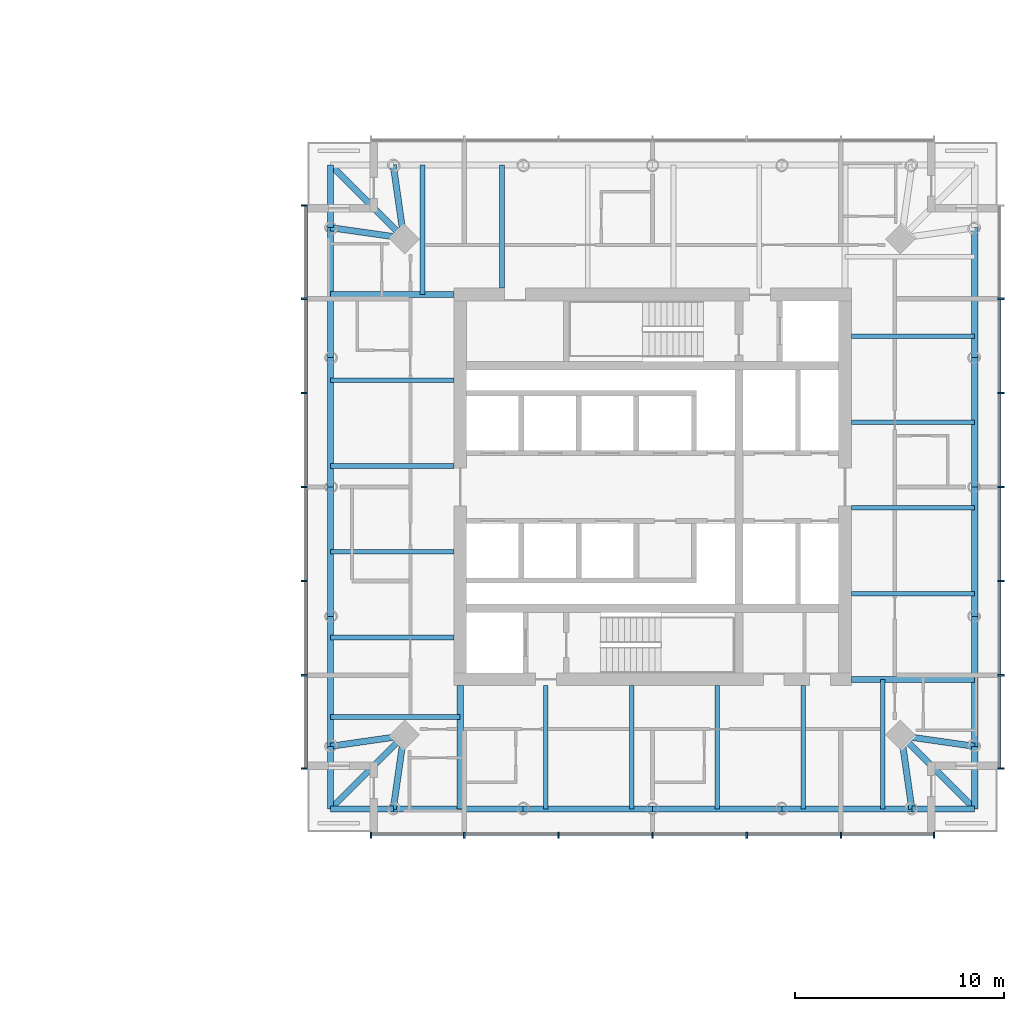
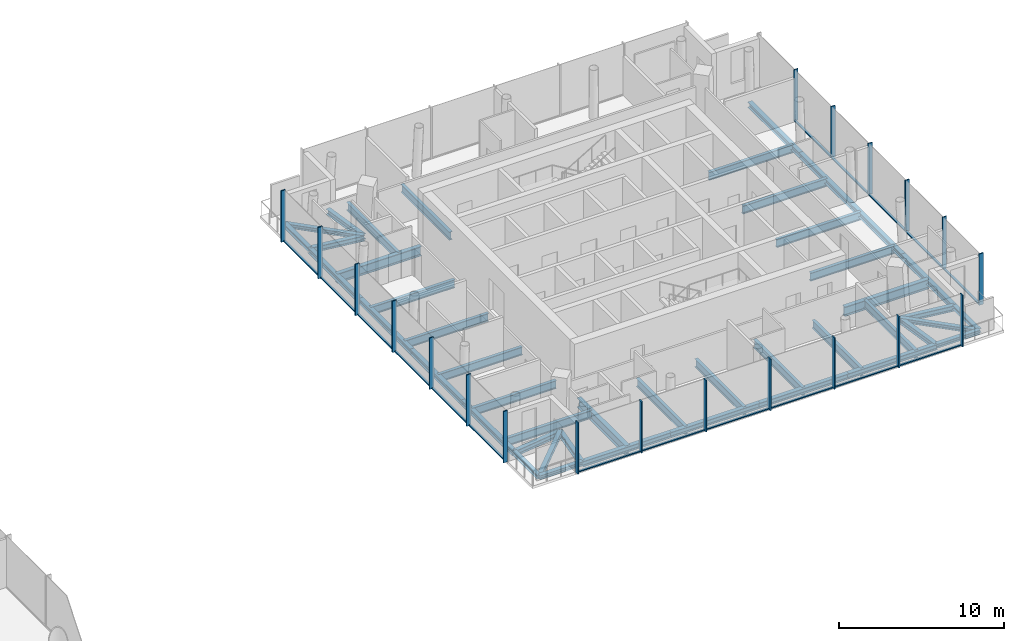
# One storey, part 4 of 18: 45 beams, 37 members, 3 elements without a shape of their own.
"""IFC4 building model written with IfcOpenShell, lengths in metres."""

from ifc_helpers import new_model, si_unit, direction, frame, origin, origin_2d, place, context, subcontext, project, spatial, rectangle, i_section, extrude, material, material_profile, profile_set, type_object, element, aggregate, save


model = new_model("IFC4")

# Units and contexts
model_context = context("Model", 3, precision=1e-05, world=origin(), true_north=direction((0.0, 1.0)))
body_context = subcontext(model_context, "Body", "Model", "MODEL_VIEW")
ifc_project = project(units=[si_unit("LENGTHUNIT", "METRE"), si_unit("AREAUNIT", "SQUARE_METRE"), si_unit("VOLUMEUNIT", "CUBIC_METRE"), si_unit("PLANEANGLEUNIT", "RADIAN"), si_unit("MASSUNIT", "GRAM", prefix="KILO")], contexts=[model_context])

# Site, building, storey
site_placement = place(None, origin())
site = spatial("IfcSite", under=ifc_project, at=site_placement, CompositionType="ELEMENT")
building_placement = place(site_placement, origin())
building = spatial("IfcBuilding", under=site, at=building_placement, Name="Ostroluk Exchange", CompositionType="ELEMENT")
storey_placement = place(building_placement, frame((0.0, 0.0, 104.60009765625)))
storey = spatial("IfcBuildingStorey", under=building, at=storey_placement, Name="L26", CompositionType="ELEMENT", Elevation=104.60009765625)

# Beams
ifc_material_1 = material(Name="Steel S355", Category="steel")
ifc_material_profile_1 = material_profile(ifc_material_1, i_section(OverallWidth=0.300048828125, OverallDepth=0.300048828125, WebThickness=0.010986328125, FlangeThickness=0.01904296875, FilletRadius=0.027099609375, at=origin_2d()), Name="HEB 300")
ifc_profile_set_1 = profile_set([ifc_material_profile_1], Name="Steel S355")
beam_type_1 = type_object("IfcBeamType", Name="Balcony beam HEB 300", PredefinedType="BEAM", material=ifc_profile_set_1)
beam_1_placement = place(storey_placement, frame((101.603515625, 58.396484375, -0.35009765625), z_axis=(0.0, 1.0, 0.0), x_axis=(-1.0, 0.0, 0.0)))
element("IfcBeam", 1, at=beam_1_placement, inside=storey, type_object=beam_type_1, Name="T2 north balcony beam b", PredefinedType="BEAM", context=body_context, shape_type="SweptSolid", body=[
    extrude(i_section(OverallWidth=0.300048828125, OverallDepth=0.300048828125, WebThickness=0.010986328125, FlangeThickness=0.01904296875, FilletRadius=0.027099609375, at=origin_2d()), origin(), (0.0, 0.0, 1.0), 3.0),
])
beam_2_placement = place(storey_placement, frame((105.103515625, 57.896484375, -0.35009765625), z_axis=(-0.707106781187, 0.707106781187, 0.0), x_axis=(-0.707106781187, -0.707106781187, 0.0)))
element("IfcBeam", 2, at=beam_2_placement, inside=storey, type_object=beam_type_1, Name="T2 north balcony beam c", PredefinedType="BEAM", context=body_context, shape_type="SweptSolid", body=[
    extrude(i_section(OverallWidth=0.300048828125, OverallDepth=0.300048828125, WebThickness=0.010986328125, FlangeThickness=0.01904296875, FilletRadius=0.027099609375, at=origin_2d()), origin(), (0.0, 0.0, 1.0), 4.94970703125),
])
for number, where, z_axis, x_axis, name in (
    (3, (101.603515625, 33.603515625, -0.35009765625), (0.0, -1.0, 0.0), (1.0, 0.0, 0.0), "T2 west balcony beam a"),
    (4, (104.603515625, 30.603515625, -0.35009765625), (-1.0, 0.0, 0.0), (0.0, -1.0, 0.0), "T2 west balcony beam b"),
):
    element("IfcBeam", number, at=place(storey_placement, frame(where, z_axis=z_axis, x_axis=x_axis)), inside=storey, type_object=beam_type_1, Name=name, PredefinedType="BEAM", context=body_context, shape_type="SweptSolid", body=[
        extrude(i_section(OverallWidth=0.300048828125, OverallDepth=0.300048828125, WebThickness=0.010986328125, FlangeThickness=0.01904296875, FilletRadius=0.027099609375, at=origin_2d()), origin(), (0.0, 0.0, 1.0), 3.0),
    ])
beam_3_placement = place(storey_placement, frame((105.103515625, 34.103515625, -0.35009765625), z_axis=(-0.707106781187, -0.707106781187, 0.0), x_axis=(0.707106781187, -0.707106781187, 0.0)))
element("IfcBeam", 5, at=beam_3_placement, inside=storey, type_object=beam_type_1, Name="T2 west balcony beam c", PredefinedType="BEAM", context=body_context, shape_type="SweptSolid", body=[
    extrude(i_section(OverallWidth=0.300048828125, OverallDepth=0.300048828125, WebThickness=0.010986328125, FlangeThickness=0.01904296875, FilletRadius=0.027099609375, at=origin_2d()), origin(), (0.0, 0.0, 1.0), 4.94970703125),
])
for number, where, z_axis, x_axis, name in (
    (6, (129.396484375, 30.603515625, -0.35009765625), (1.0, 0.0, 0.0), (0.0, 1.0, 0.0), "T2 south balcony beam a"),
    (7, (132.396484375, 33.603515625, -0.35009765625), (0.0, -1.0, 0.0), (1.0, 0.0, 0.0), "T2 south balcony beam b"),
):
    element("IfcBeam", number, at=place(storey_placement, frame(where, z_axis=z_axis, x_axis=x_axis)), inside=storey, type_object=beam_type_1, Name=name, PredefinedType="BEAM", context=body_context, shape_type="SweptSolid", body=[
        extrude(i_section(OverallWidth=0.300048828125, OverallDepth=0.300048828125, WebThickness=0.010986328125, FlangeThickness=0.01904296875, FilletRadius=0.027099609375, at=origin_2d()), origin(), (0.0, 0.0, 1.0), 3.0),
    ])
beam_4_placement = place(storey_placement, frame((128.896484375, 34.103515625, -0.35009765625), z_axis=(0.707106781187, -0.707106781187, 0.0), x_axis=(0.707106781187, 0.707106781187, 0.0)))
element("IfcBeam", 8, at=beam_4_placement, inside=storey, type_object=beam_type_1, Name="T2 south balcony beam c", PredefinedType="BEAM", context=body_context, shape_type="SweptSolid", body=[
    extrude(i_section(OverallWidth=0.300048828125, OverallDepth=0.300048828125, WebThickness=0.010986328125, FlangeThickness=0.01904296875, FilletRadius=0.027099609375, at=origin_2d()), origin(), (0.0, 0.0, 1.0), 4.94970703125),
])
ifc_material_2 = material(Name="Steel S355", Category="steel")
ifc_material_profile_2 = material_profile(ifc_material_2, i_section(OverallWidth=0.300048828125, OverallDepth=0.39990234375, WebThickness=0.013427734375, FlangeThickness=0.02392578125, FilletRadius=0.027099609375, at=origin_2d()), Name="HEB 400")
ifc_profile_set_2 = profile_set([ifc_material_profile_2], Name="Steel S355")
beam_type_2 = type_object("IfcBeamType", Name="Corner edge beam HEB 400", PredefinedType="SPANDREL", material=ifc_profile_set_2)
for number, where, z_axis, x_axis, name in (
    (9, (105.103515625, 57.896484375, -0.400146484375), (-0.141421356237, 0.989949493661, 0.0), (-0.989949493661, -0.141421356237, 0.0), "T2 north corner edge beam a"),
    (10, (105.103515625, 57.896484375, -0.400146484375), (-0.989949493661, 0.141421356237, 0.0), (-0.141421356237, -0.989949493661, 0.0), "T2 north corner edge beam b"),
    (11, (105.103515625, 34.103515625, -0.400146484375), (-0.989949493661, -0.141421356237, 0.0), (0.141421356237, -0.989949493661, 0.0), "T2 west corner edge beam a"),
    (12, (105.103515625, 34.103515625, -0.400146484375), (-0.141421356237, -0.989949493661, 0.0), (0.989949493661, -0.141421356237, 0.0), "T2 west corner edge beam b"),
    (13, (128.896484375, 34.103515625, -0.400146484375), (0.141421356237, -0.989949493661, 0.0), (0.989949493661, 0.141421356237, 0.0), "T2 south corner edge beam a"),
    (14, (128.896484375, 34.103515625, -0.400146484375), (0.989949493661, -0.141421356237, 0.0), (0.141421356237, 0.989949493661, 0.0), "T2 south corner edge beam b"),
):
    element("IfcBeam", number, at=place(storey_placement, frame(where, z_axis=z_axis, x_axis=x_axis)), inside=storey, type_object=beam_type_2, Name=name, PredefinedType="SPANDREL", context=body_context, shape_type="SweptSolid", body=[
        extrude(i_section(OverallWidth=0.300048828125, OverallDepth=0.39990234375, WebThickness=0.013427734375, FlangeThickness=0.02392578125, FilletRadius=0.027099609375, at=origin_2d()), origin(), (0.0, 0.0, 1.0), 3.53564453125),
    ])
ifc_material_3 = material(Name="Steel S355", Category="steel")
ifc_material_profile_3 = material_profile(ifc_material_3, i_section(OverallWidth=0.219970703125, OverallDepth=0.60009765625, WebThickness=0.011962890625, FlangeThickness=0.01904296875, FilletRadius=0.02392578125, at=origin_2d()), Name="IPE 600")
ifc_profile_set_3 = profile_set([ifc_material_profile_3], Name="Steel S355")
beam_type_3 = type_object("IfcBeamType", Name="Floor beam IPE 600", PredefinedType="BEAM", material=ifc_profile_set_3)
for number, where, z_axis, x_axis, name in (
    (15, (126.5, 40.8994140625, -0.5), (1.0, 0.0, 0.0), (0.0, 1.0, 0.0), "T2 east floor beam 1"),
    (16, (126.5, 44.998779296875, -0.5), (1.0, 0.0, 0.0), (0.0, 1.0, 0.0), "T2 east floor beam 2"),
    (17, (126.5, 49.098388671875, -0.5), (1.0, 0.0, 0.0), (0.0, 1.0, 0.0), "T2 east floor beam 3"),
    (18, (126.5, 53.19775390625, -0.5), (1.0, 0.0, 0.0), (0.0, 1.0, 0.0), "T2 east floor beam 4"),
    (19, (109.80224609375, 55.5, -0.5), (0.0, 1.0, 0.0), (-1.0, 0.0, 0.0), "T2 north floor beam 4"),
):
    element("IfcBeam", number, at=place(storey_placement, frame(where, z_axis=z_axis, x_axis=x_axis)), inside=storey, type_object=beam_type_3, Name=name, PredefinedType="BEAM", context=body_context, shape_type="SweptSolid", body=[
        extrude(i_section(OverallWidth=0.219970703125, OverallDepth=0.60009765625, WebThickness=0.011962890625, FlangeThickness=0.01904296875, FilletRadius=0.02392578125, at=origin_2d()), origin(), (0.0, 0.0, 1.0), 5.896484375),
    ])
beam_5_placement = place(storey_placement, frame((106.00341796875, 55.199951171875, -0.5), z_axis=(0.0, 1.0, 0.0), x_axis=(-1.0, 0.0, 0.0)))
element("IfcBeam", 20, at=beam_5_placement, inside=storey, type_object=beam_type_3, Name="T2 north floor beam 5", PredefinedType="BEAM", context=body_context, shape_type="SweptSolid", body=[
    extrude(i_section(OverallWidth=0.219970703125, OverallDepth=0.60009765625, WebThickness=0.011962890625, FlangeThickness=0.01904296875, FilletRadius=0.02392578125, at=origin_2d()), origin(), (0.0, 0.0, 1.0), 6.196533203125),
])
for number, where, z_axis, x_axis, name in (
    (21, (107.5, 51.1005859375, -0.5), (-1.0, 0.0, 0.0), (0.0, -1.0, 0.0), "T2 west floor beam 1"),
    (22, (107.5, 47.001220703125, -0.5), (-1.0, 0.0, 0.0), (0.0, -1.0, 0.0), "T2 west floor beam 2"),
    (23, (107.5, 42.901611328125, -0.5), (-1.0, 0.0, 0.0), (0.0, -1.0, 0.0), "T2 west floor beam 3"),
    (24, (107.5, 38.80224609375, -0.5), (-1.0, 0.0, 0.0), (0.0, -1.0, 0.0), "T2 west floor beam 4"),
):
    element("IfcBeam", number, at=place(storey_placement, frame(where, z_axis=z_axis, x_axis=x_axis)), inside=storey, type_object=beam_type_3, Name=name, PredefinedType="BEAM", context=body_context, shape_type="SweptSolid", body=[
        extrude(i_section(OverallWidth=0.219970703125, OverallDepth=0.60009765625, WebThickness=0.011962890625, FlangeThickness=0.01904296875, FilletRadius=0.02392578125, at=origin_2d()), origin(), (0.0, 0.0, 1.0), 5.896484375),
    ])
beam_6_placement = place(storey_placement, frame((107.800048828125, 35.00341796875, -0.5), z_axis=(-1.0, 0.0, 0.0), x_axis=(0.0, -1.0, 0.0)))
element("IfcBeam", 25, at=beam_6_placement, inside=storey, type_object=beam_type_3, Name="T2 west floor beam 5", PredefinedType="BEAM", context=body_context, shape_type="SweptSolid", body=[
    extrude(i_section(OverallWidth=0.219970703125, OverallDepth=0.60009765625, WebThickness=0.011962890625, FlangeThickness=0.01904296875, FilletRadius=0.02392578125, at=origin_2d()), origin(), (0.0, 0.0, 1.0), 6.196533203125),
])
for number, where, z_axis, x_axis, name in (
    (26, (111.8994140625, 36.5, -0.5), (0.0, -1.0, 0.0), (1.0, 0.0, 0.0), "T2 south floor beam 1"),
    (27, (115.998779296875, 36.5, -0.5), (0.0, -1.0, 0.0), (1.0, 0.0, 0.0), "T2 south floor beam 2"),
    (28, (120.098388671875, 36.5, -0.5), (0.0, -1.0, 0.0), (1.0, 0.0, 0.0), "T2 south floor beam 3"),
    (29, (124.19775390625, 36.5, -0.5), (0.0, -1.0, 0.0), (1.0, 0.0, 0.0), "T2 south floor beam 4"),
):
    element("IfcBeam", number, at=place(storey_placement, frame(where, z_axis=z_axis, x_axis=x_axis)), inside=storey, type_object=beam_type_3, Name=name, PredefinedType="BEAM", context=body_context, shape_type="SweptSolid", body=[
        extrude(i_section(OverallWidth=0.219970703125, OverallDepth=0.60009765625, WebThickness=0.011962890625, FlangeThickness=0.01904296875, FilletRadius=0.02392578125, at=origin_2d()), origin(), (0.0, 0.0, 1.0), 5.896484375),
    ])
beam_7_placement = place(storey_placement, frame((127.99658203125, 36.800048828125, -0.5), z_axis=(0.0, -1.0, 0.0), x_axis=(1.0, 0.0, 0.0)))
element("IfcBeam", 30, at=beam_7_placement, inside=storey, type_object=beam_type_3, Name="T2 south floor beam 5", PredefinedType="BEAM", context=body_context, shape_type="SweptSolid", body=[
    extrude(i_section(OverallWidth=0.219970703125, OverallDepth=0.60009765625, WebThickness=0.011962890625, FlangeThickness=0.01904296875, FilletRadius=0.02392578125, at=origin_2d()), origin(), (0.0, 0.0, 1.0), 6.196533203125),
])
ifc_material_4 = material(Name="Steel S355", Category="steel")
ifc_material_profile_4 = material_profile(ifc_material_4, i_section(OverallWidth=0.300048828125, OverallDepth=0.699951171875, WebThickness=0.01708984375, FlangeThickness=0.031982421875, FilletRadius=0.027099609375, at=origin_2d()), Name="HEB 700")
ifc_profile_set_4 = profile_set([ifc_material_profile_4], Name="Steel S355")
beam_type_4 = type_object("IfcBeamType", Name="Girder HEB 700", PredefinedType="BEAM", material=ifc_profile_set_4)
for number, where, z_axis, x_axis, name in (
    (31, (107.5, 55.199951171875, -0.550048828125), (-1.0, 0.0, 0.0), (0.0, -1.0, 0.0), "T2 north girder"),
    (32, (107.800048828125, 36.5, -0.550048828125), (0.0, -1.0, 0.0), (1.0, 0.0, 0.0), "T2 west girder"),
    (33, (126.5, 36.800048828125, -0.550048828125), (1.0, 0.0, 0.0), (0.0, 1.0, 0.0), "T2 south girder"),
):
    element("IfcBeam", number, at=place(storey_placement, frame(where, z_axis=z_axis, x_axis=x_axis)), inside=storey, type_object=beam_type_4, Name=name, PredefinedType="BEAM", context=body_context, shape_type="SweptSolid", body=[
        extrude(i_section(OverallWidth=0.300048828125, OverallDepth=0.699951171875, WebThickness=0.01708984375, FlangeThickness=0.031982421875, FilletRadius=0.027099609375, at=origin_2d()), origin(), (0.0, 0.0, 1.0), 5.896484375),
    ])
ifc_material_5 = material(Name="Steel S355", Category="steel")
ifc_material_profile_5 = material_profile(ifc_material_5, i_section(OverallWidth=0.300048828125, OverallDepth=0.39990234375, WebThickness=0.013427734375, FlangeThickness=0.02392578125, FilletRadius=0.027099609375, at=origin_2d()), Name="HEB 400")
ifc_profile_set_5 = profile_set([ifc_material_profile_5], Name="Steel S355")
beam_type_5 = type_object("IfcBeamType", Name="Moment-connected edge beam HEB 400", PredefinedType="SPANDREL", material=ifc_profile_set_5)
for number, where, z_axis, x_axis, name in (
    (34, (132.396484375, 33.603515625, -0.400146484375), (0.0, 1.0, 0.0), (-1.0, 0.0, 0.0), "T2 east edge beam 1"),
    (35, (132.396484375, 39.8017578125, -0.400146484375), (0.0, 1.0, 0.0), (-1.0, 0.0, 0.0), "T2 east edge beam 2"),
    (36, (132.396484375, 46.0, -0.400146484375), (0.0, 1.0, 0.0), (-1.0, 0.0, 0.0), "T2 east edge beam 3"),
    (37, (132.396484375, 52.1982421875, -0.400146484375), (0.0, 1.0, 0.0), (-1.0, 0.0, 0.0), "T2 east edge beam 4"),
    (38, (101.603515625, 58.396484375, -0.400146484375), (0.0, -1.0, 0.0), (1.0, 0.0, 0.0), "T2 west edge beam 1"),
    (39, (101.603515625, 52.1982421875, -0.400146484375), (0.0, -1.0, 0.0), (1.0, 0.0, 0.0), "T2 west edge beam 2"),
    (40, (101.603515625, 46.0, -0.400146484375), (0.0, -1.0, 0.0), (1.0, 0.0, 0.0), "T2 west edge beam 3"),
    (41, (101.603515625, 39.8017578125, -0.400146484375), (0.0, -1.0, 0.0), (1.0, 0.0, 0.0), "T2 west edge beam 4"),
    (42, (104.603515625, 30.603515625, -0.400146484375), (1.0, 0.0, 0.0), (0.0, 1.0, 0.0), "T2 south edge beam 1"),
    (43, (110.8017578125, 30.603515625, -0.400146484375), (1.0, 0.0, 0.0), (0.0, 1.0, 0.0), "T2 south edge beam 2"),
    (44, (117.0, 30.603515625, -0.400146484375), (1.0, 0.0, 0.0), (0.0, 1.0, 0.0), "T2 south edge beam 3"),
    (45, (123.1982421875, 30.603515625, -0.400146484375), (1.0, 0.0, 0.0), (0.0, 1.0, 0.0), "T2 south edge beam 4"),
):
    element("IfcBeam", number, at=place(storey_placement, frame(where, z_axis=z_axis, x_axis=x_axis)), inside=storey, type_object=beam_type_5, Name=name, PredefinedType="SPANDREL", context=body_context, shape_type="SweptSolid", body=[
        extrude(i_section(OverallWidth=0.300048828125, OverallDepth=0.39990234375, WebThickness=0.013427734375, FlangeThickness=0.02392578125, FilletRadius=0.027099609375, at=origin_2d()), origin(), (0.0, 0.0, 1.0), 6.1982421875),
    ])

# Curtain wall, members
ifc_material_6 = material(Name="Laminated clear glass", Category="glass")
curtain_wall_type = type_object("IfcCurtainWallType", Name="Hotel guest floor facade", PredefinedType="USERDEFINED", material=ifc_material_6)
curtain_wall_1_placement = place(storey_placement, origin())
curtain_wall_1 = element("IfcCurtainWall", 46, at=curtain_wall_1_placement, inside=storey, type_object=curtain_wall_type, Name="Hotel tower south facade L26", ObjectType="UNITISED CURTAIN WALL", PredefinedType="USERDEFINED")
ifc_material_7 = material(Name="Aluminium mullion", Category="aluminium")
ifc_material_profile_6 = material_profile(ifc_material_7, rectangle(XDim=0.14990234375, YDim=0.080078125, at=origin_2d()), Name="Sill transom 80 x 150")
ifc_profile_set_6 = profile_set([ifc_material_profile_6], Name="Aluminium mullion")
member_type_1 = type_object("IfcMemberType", Name="Sill transom 80 x 150", PredefinedType="USERDEFINED", material=ifc_profile_set_6)
member_1_placement = place(storey_placement, frame((103.580078125, 29.425048828125, 0.039794921875), z_axis=(1.0, 0.0, 0.0), x_axis=(0.0, 1.0, 0.0)))
member_1 = element("IfcMember", 47, at=member_1_placement, type_object=member_type_1, Name="CW-H1 transom 1.1", ObjectType="TRANSOM", PredefinedType="USERDEFINED", context=body_context, shape_type="SweptSolid", body=[
    extrude(rectangle(XDim=0.14990234375, YDim=0.080078125, at=origin_2d()), origin(), (0.0, 0.0, 1.0), 4.3798828125),
])
member_2_placement = place(storey_placement, frame((108.0400390625, 29.425048828125, 0.039794921875), z_axis=(1.0, 0.0, 0.0), x_axis=(0.0, 1.0, 0.0)))
member_2 = element("IfcMember", 48, at=member_2_placement, type_object=member_type_1, Name="CW-H1 transom 2.1", ObjectType="TRANSOM", PredefinedType="USERDEFINED", context=body_context, shape_type="SweptSolid", body=[
    extrude(rectangle(XDim=0.14990234375, YDim=0.080078125, at=origin_2d()), origin(), (0.0, 0.0, 1.0), 4.419921875),
])
member_3_placement = place(storey_placement, frame((112.5400390625, 29.425048828125, 0.039794921875), z_axis=(1.0, 0.0, 0.0), x_axis=(0.0, 1.0, 0.0)))
member_3 = element("IfcMember", 49, at=member_3_placement, type_object=member_type_1, Name="CW-H1 transom 3.1", ObjectType="TRANSOM", PredefinedType="USERDEFINED", context=body_context, shape_type="SweptSolid", body=[
    extrude(rectangle(XDim=0.14990234375, YDim=0.080078125, at=origin_2d()), origin(), (0.0, 0.0, 1.0), 4.419921875),
])
member_4_placement = place(storey_placement, frame((117.0400390625, 29.425048828125, 0.039794921875), z_axis=(1.0, 0.0, 0.0), x_axis=(0.0, 1.0, 0.0)))
member_4 = element("IfcMember", 50, at=member_4_placement, type_object=member_type_1, Name="CW-H1 transom 4.1", ObjectType="TRANSOM", PredefinedType="USERDEFINED", context=body_context, shape_type="SweptSolid", body=[
    extrude(rectangle(XDim=0.14990234375, YDim=0.080078125, at=origin_2d()), origin(), (0.0, 0.0, 1.0), 4.419921875),
])
member_5_placement = place(storey_placement, frame((121.5400390625, 29.425048828125, 0.039794921875), z_axis=(1.0, 0.0, 0.0), x_axis=(0.0, 1.0, 0.0)))
member_5 = element("IfcMember", 51, at=member_5_placement, type_object=member_type_1, Name="CW-H1 transom 5.1", ObjectType="TRANSOM", PredefinedType="USERDEFINED", context=body_context, shape_type="SweptSolid", body=[
    extrude(rectangle(XDim=0.14990234375, YDim=0.080078125, at=origin_2d()), origin(), (0.0, 0.0, 1.0), 4.419921875),
])
member_6_placement = place(storey_placement, frame((126.0400390625, 29.425048828125, 0.039794921875), z_axis=(1.0, 0.0, 0.0), x_axis=(0.0, 1.0, 0.0)))
member_6 = element("IfcMember", 52, at=member_6_placement, type_object=member_type_1, Name="CW-H1 transom 6.1", ObjectType="TRANSOM", PredefinedType="USERDEFINED", context=body_context, shape_type="SweptSolid", body=[
    extrude(rectangle(XDim=0.14990234375, YDim=0.080078125, at=origin_2d()), origin(), (0.0, 0.0, 1.0), 4.3798828125),
])

curtain_wall_2_placement = place(storey_placement, origin())
curtain_wall_2 = element("IfcCurtainWall", 53, at=curtain_wall_2_placement, inside=storey, type_object=curtain_wall_type, Name="Hotel tower east facade L26", ObjectType="UNITISED CURTAIN WALL", PredefinedType="USERDEFINED")
member_7_placement = place(storey_placement, frame((133.574951171875, 32.580078125, 0.039794921875), z_axis=(0.0, 1.0, 0.0), x_axis=(-1.0, 0.0, 0.0)))
member_7 = element("IfcMember", 54, at=member_7_placement, type_object=member_type_1, Name="CW-H1 transom 1.1", ObjectType="TRANSOM", PredefinedType="USERDEFINED", context=body_context, shape_type="SweptSolid", body=[
    extrude(rectangle(XDim=0.14990234375, YDim=0.080078125, at=origin_2d()), origin(), (0.0, 0.0, 1.0), 4.3798828125),
])
member_8_placement = place(storey_placement, frame((133.574951171875, 37.0400390625, 0.039794921875), z_axis=(0.0, 1.0, 0.0), x_axis=(-1.0, 0.0, 0.0)))
member_8 = element("IfcMember", 55, at=member_8_placement, type_object=member_type_1, Name="CW-H1 transom 2.1", ObjectType="TRANSOM", PredefinedType="USERDEFINED", context=body_context, shape_type="SweptSolid", body=[
    extrude(rectangle(XDim=0.14990234375, YDim=0.080078125, at=origin_2d()), origin(), (0.0, 0.0, 1.0), 4.419921875),
])
member_9_placement = place(storey_placement, frame((133.574951171875, 41.5400390625, 0.039794921875), z_axis=(0.0, 1.0, 0.0), x_axis=(-1.0, 0.0, 0.0)))
member_9 = element("IfcMember", 56, at=member_9_placement, type_object=member_type_1, Name="CW-H1 transom 3.1", ObjectType="TRANSOM", PredefinedType="USERDEFINED", context=body_context, shape_type="SweptSolid", body=[
    extrude(rectangle(XDim=0.14990234375, YDim=0.080078125, at=origin_2d()), origin(), (0.0, 0.0, 1.0), 4.419921875),
])
member_10_placement = place(storey_placement, frame((133.574951171875, 46.0400390625, 0.039794921875), z_axis=(0.0, 1.0, 0.0), x_axis=(-1.0, 0.0, 0.0)))
member_10 = element("IfcMember", 57, at=member_10_placement, type_object=member_type_1, Name="CW-H1 transom 4.1", ObjectType="TRANSOM", PredefinedType="USERDEFINED", context=body_context, shape_type="SweptSolid", body=[
    extrude(rectangle(XDim=0.14990234375, YDim=0.080078125, at=origin_2d()), origin(), (0.0, 0.0, 1.0), 4.419921875),
])
member_11_placement = place(storey_placement, frame((133.574951171875, 50.5400390625, 0.039794921875), z_axis=(0.0, 1.0, 0.0), x_axis=(-1.0, 0.0, 0.0)))
member_11 = element("IfcMember", 58, at=member_11_placement, type_object=member_type_1, Name="CW-H1 transom 5.1", ObjectType="TRANSOM", PredefinedType="USERDEFINED", context=body_context, shape_type="SweptSolid", body=[
    extrude(rectangle(XDim=0.14990234375, YDim=0.080078125, at=origin_2d()), origin(), (0.0, 0.0, 1.0), 4.419921875),
])

curtain_wall_3_placement = place(storey_placement, origin())
curtain_wall_3 = element("IfcCurtainWall", 59, at=curtain_wall_3_placement, inside=storey, type_object=curtain_wall_type, Name="Hotel tower west facade L26", ObjectType="UNITISED CURTAIN WALL", PredefinedType="USERDEFINED")
member_12_placement = place(storey_placement, frame((100.425048828125, 59.419921875, 0.039794921875), z_axis=(0.0, -1.0, 0.0), x_axis=(1.0, 0.0, 0.0)))
member_12 = element("IfcMember", 60, at=member_12_placement, type_object=member_type_1, Name="CW-H1 transom 1.1", ObjectType="TRANSOM", PredefinedType="USERDEFINED", context=body_context, shape_type="SweptSolid", body=[
    extrude(rectangle(XDim=0.14990234375, YDim=0.080078125, at=origin_2d()), origin(), (0.0, 0.0, 1.0), 4.3798828125),
])
member_13_placement = place(storey_placement, frame((100.425048828125, 54.9599609375, 0.039794921875), z_axis=(0.0, -1.0, 0.0), x_axis=(1.0, 0.0, 0.0)))
member_13 = element("IfcMember", 61, at=member_13_placement, type_object=member_type_1, Name="CW-H1 transom 2.1", ObjectType="TRANSOM", PredefinedType="USERDEFINED", context=body_context, shape_type="SweptSolid", body=[
    extrude(rectangle(XDim=0.14990234375, YDim=0.080078125, at=origin_2d()), origin(), (0.0, 0.0, 1.0), 4.419921875),
])
member_14_placement = place(storey_placement, frame((100.425048828125, 50.4599609375, 0.039794921875), z_axis=(0.0, -1.0, 0.0), x_axis=(1.0, 0.0, 0.0)))
member_14 = element("IfcMember", 62, at=member_14_placement, type_object=member_type_1, Name="CW-H1 transom 3.1", ObjectType="TRANSOM", PredefinedType="USERDEFINED", context=body_context, shape_type="SweptSolid", body=[
    extrude(rectangle(XDim=0.14990234375, YDim=0.080078125, at=origin_2d()), origin(), (0.0, 0.0, 1.0), 4.419921875),
])
member_15_placement = place(storey_placement, frame((100.425048828125, 45.9599609375, 0.039794921875), z_axis=(0.0, -1.0, 0.0), x_axis=(1.0, 0.0, 0.0)))
member_15 = element("IfcMember", 63, at=member_15_placement, type_object=member_type_1, Name="CW-H1 transom 4.1", ObjectType="TRANSOM", PredefinedType="USERDEFINED", context=body_context, shape_type="SweptSolid", body=[
    extrude(rectangle(XDim=0.14990234375, YDim=0.080078125, at=origin_2d()), origin(), (0.0, 0.0, 1.0), 4.419921875),
])
member_16_placement = place(storey_placement, frame((100.425048828125, 41.4599609375, 0.039794921875), z_axis=(0.0, -1.0, 0.0), x_axis=(1.0, 0.0, 0.0)))
member_16 = element("IfcMember", 64, at=member_16_placement, type_object=member_type_1, Name="CW-H1 transom 5.1", ObjectType="TRANSOM", PredefinedType="USERDEFINED", context=body_context, shape_type="SweptSolid", body=[
    extrude(rectangle(XDim=0.14990234375, YDim=0.080078125, at=origin_2d()), origin(), (0.0, 0.0, 1.0), 4.419921875),
])
member_17_placement = place(storey_placement, frame((100.425048828125, 36.9599609375, 0.039794921875), z_axis=(0.0, -1.0, 0.0), x_axis=(1.0, 0.0, 0.0)))
member_17 = element("IfcMember", 65, at=member_17_placement, type_object=member_type_1, Name="CW-H1 transom 6.1", ObjectType="TRANSOM", PredefinedType="USERDEFINED", context=body_context, shape_type="SweptSolid", body=[
    extrude(rectangle(XDim=0.14990234375, YDim=0.080078125, at=origin_2d()), origin(), (0.0, 0.0, 1.0), 4.3798828125),
])

# Member
ifc_material_8 = material(Name="Aluminium mullion with limestone facing", Category="masonry")
ifc_material_profile_7 = material_profile(ifc_material_8, rectangle(XDim=0.300048828125, YDim=0.080078125, at=origin_2d()), Name="Tracery mullion 80 x 300")
ifc_profile_set_7 = profile_set([ifc_material_profile_7], Name="Aluminium mullion with limestone facing")
member_type_2 = type_object("IfcMemberType", Name="Tracery mullion 80 x 300", PredefinedType="MULLION", material=ifc_profile_set_7)
member_18_placement = place(storey_placement, frame((103.5400390625, 29.35009765625, 0.0), z_axis=(0.0, 0.0, 1.0), x_axis=(0.0, 1.0, 0.0)))
member_18 = element("IfcMember", 66, at=member_18_placement, type_object=member_type_2, Name="CW-H1 mullion 1", PredefinedType="MULLION", context=body_context, shape_type="SweptSolid", body=[
    extrude(rectangle(XDim=0.300048828125, YDim=0.080078125, at=origin_2d()), origin(), (0.0, 0.0, 1.0), 3.7998046875),
])

member_19_placement = place(storey_placement, frame((108.0, 29.35009765625, 0.0), z_axis=(0.0, 0.0, 1.0), x_axis=(0.0, 1.0, 0.0)))
member_19 = element("IfcMember", 67, at=member_19_placement, type_object=member_type_2, Name="CW-H1 mullion 2", PredefinedType="MULLION", context=body_context, shape_type="SweptSolid", body=[
    extrude(rectangle(XDim=0.300048828125, YDim=0.080078125, at=origin_2d()), origin(), (0.0, 0.0, 1.0), 3.7998046875),
])

member_20_placement = place(storey_placement, frame((112.5, 29.35009765625, 0.0), z_axis=(0.0, 0.0, 1.0), x_axis=(0.0, 1.0, 0.0)))
member_20 = element("IfcMember", 68, at=member_20_placement, type_object=member_type_2, Name="CW-H1 mullion 3", PredefinedType="MULLION", context=body_context, shape_type="SweptSolid", body=[
    extrude(rectangle(XDim=0.300048828125, YDim=0.080078125, at=origin_2d()), origin(), (0.0, 0.0, 1.0), 3.7998046875),
])

member_21_placement = place(storey_placement, frame((117.0, 29.35009765625, 0.0), z_axis=(0.0, 0.0, 1.0), x_axis=(0.0, 1.0, 0.0)))
member_21 = element("IfcMember", 69, at=member_21_placement, type_object=member_type_2, Name="CW-H1 mullion 4", PredefinedType="MULLION", context=body_context, shape_type="SweptSolid", body=[
    extrude(rectangle(XDim=0.300048828125, YDim=0.080078125, at=origin_2d()), origin(), (0.0, 0.0, 1.0), 3.7998046875),
])

member_22_placement = place(storey_placement, frame((121.5, 29.35009765625, 0.0), z_axis=(0.0, 0.0, 1.0), x_axis=(0.0, 1.0, 0.0)))
member_22 = element("IfcMember", 70, at=member_22_placement, type_object=member_type_2, Name="CW-H1 mullion 5", PredefinedType="MULLION", context=body_context, shape_type="SweptSolid", body=[
    extrude(rectangle(XDim=0.300048828125, YDim=0.080078125, at=origin_2d()), origin(), (0.0, 0.0, 1.0), 3.7998046875),
])

member_23_placement = place(storey_placement, frame((126.0, 29.35009765625, 0.0), z_axis=(0.0, 0.0, 1.0), x_axis=(0.0, 1.0, 0.0)))
member_23 = element("IfcMember", 71, at=member_23_placement, type_object=member_type_2, Name="CW-H1 mullion 6", PredefinedType="MULLION", context=body_context, shape_type="SweptSolid", body=[
    extrude(rectangle(XDim=0.300048828125, YDim=0.080078125, at=origin_2d()), origin(), (0.0, 0.0, 1.0), 3.7998046875),
])

member_24_placement = place(storey_placement, frame((130.4599609375, 29.35009765625, 0.0), z_axis=(0.0, 0.0, 1.0), x_axis=(0.0, 1.0, 0.0)))
member_24 = element("IfcMember", 72, at=member_24_placement, type_object=member_type_2, Name="CW-H1 mullion 7", PredefinedType="MULLION", context=body_context, shape_type="SweptSolid", body=[
    extrude(rectangle(XDim=0.300048828125, YDim=0.080078125, at=origin_2d()), origin(), (0.0, 0.0, 1.0), 3.7998046875),
])

aggregate(curtain_wall_1, [member_18, member_19, member_20, member_21, member_22, member_23, member_24, member_1, member_2, member_3, member_4, member_5, member_6])

member_25_placement = place(storey_placement, frame((133.64990234375, 32.5400390625, 0.0), z_axis=(0.0, 0.0, 1.0), x_axis=(-1.0, 0.0, 0.0)))
member_25 = element("IfcMember", 73, at=member_25_placement, type_object=member_type_2, Name="CW-H1 mullion 1", PredefinedType="MULLION", context=body_context, shape_type="SweptSolid", body=[
    extrude(rectangle(XDim=0.300048828125, YDim=0.080078125, at=origin_2d()), origin(), (0.0, 0.0, 1.0), 3.7998046875),
])

member_26_placement = place(storey_placement, frame((133.64990234375, 37.0, 0.0), z_axis=(0.0, 0.0, 1.0), x_axis=(-1.0, 0.0, 0.0)))
member_26 = element("IfcMember", 74, at=member_26_placement, type_object=member_type_2, Name="CW-H1 mullion 2", PredefinedType="MULLION", context=body_context, shape_type="SweptSolid", body=[
    extrude(rectangle(XDim=0.300048828125, YDim=0.080078125, at=origin_2d()), origin(), (0.0, 0.0, 1.0), 3.7998046875),
])

member_27_placement = place(storey_placement, frame((133.64990234375, 41.5, 0.0), z_axis=(0.0, 0.0, 1.0), x_axis=(-1.0, 0.0, 0.0)))
member_27 = element("IfcMember", 75, at=member_27_placement, type_object=member_type_2, Name="CW-H1 mullion 3", PredefinedType="MULLION", context=body_context, shape_type="SweptSolid", body=[
    extrude(rectangle(XDim=0.300048828125, YDim=0.080078125, at=origin_2d()), origin(), (0.0, 0.0, 1.0), 3.7998046875),
])

member_28_placement = place(storey_placement, frame((133.64990234375, 46.0, 0.0), z_axis=(0.0, 0.0, 1.0), x_axis=(-1.0, 0.0, 0.0)))
member_28 = element("IfcMember", 76, at=member_28_placement, type_object=member_type_2, Name="CW-H1 mullion 4", PredefinedType="MULLION", context=body_context, shape_type="SweptSolid", body=[
    extrude(rectangle(XDim=0.300048828125, YDim=0.080078125, at=origin_2d()), origin(), (0.0, 0.0, 1.0), 3.7998046875),
])

member_29_placement = place(storey_placement, frame((133.64990234375, 50.5, 0.0), z_axis=(0.0, 0.0, 1.0), x_axis=(-1.0, 0.0, 0.0)))
member_29 = element("IfcMember", 77, at=member_29_placement, type_object=member_type_2, Name="CW-H1 mullion 5", PredefinedType="MULLION", context=body_context, shape_type="SweptSolid", body=[
    extrude(rectangle(XDim=0.300048828125, YDim=0.080078125, at=origin_2d()), origin(), (0.0, 0.0, 1.0), 3.7998046875),
])

member_30_placement = place(storey_placement, frame((133.64990234375, 55.0, 0.0), z_axis=(0.0, 0.0, 1.0), x_axis=(-1.0, 0.0, 0.0)))
member_30 = element("IfcMember", 78, at=member_30_placement, type_object=member_type_2, Name="CW-H1 mullion 6", PredefinedType="MULLION", context=body_context, shape_type="SweptSolid", body=[
    extrude(rectangle(XDim=0.300048828125, YDim=0.080078125, at=origin_2d()), origin(), (0.0, 0.0, 1.0), 3.7998046875),
])

aggregate(curtain_wall_2, [member_25, member_26, member_27, member_28, member_29, member_30, member_7, member_8, member_9, member_10, member_11])

member_31_placement = place(storey_placement, frame((100.35009765625, 59.4599609375, 0.0), z_axis=(0.0, 0.0, 1.0), x_axis=(1.0, 0.0, 0.0)))
member_31 = element("IfcMember", 79, at=member_31_placement, type_object=member_type_2, Name="CW-H1 mullion 1", PredefinedType="MULLION", context=body_context, shape_type="SweptSolid", body=[
    extrude(rectangle(XDim=0.300048828125, YDim=0.080078125, at=origin_2d()), origin(), (0.0, 0.0, 1.0), 3.7998046875),
])

member_32_placement = place(storey_placement, frame((100.35009765625, 55.0, 0.0), z_axis=(0.0, 0.0, 1.0), x_axis=(1.0, 0.0, 0.0)))
member_32 = element("IfcMember", 80, at=member_32_placement, type_object=member_type_2, Name="CW-H1 mullion 2", PredefinedType="MULLION", context=body_context, shape_type="SweptSolid", body=[
    extrude(rectangle(XDim=0.300048828125, YDim=0.080078125, at=origin_2d()), origin(), (0.0, 0.0, 1.0), 3.7998046875),
])

member_33_placement = place(storey_placement, frame((100.35009765625, 50.5, 0.0), z_axis=(0.0, 0.0, 1.0), x_axis=(1.0, 0.0, 0.0)))
member_33 = element("IfcMember", 81, at=member_33_placement, type_object=member_type_2, Name="CW-H1 mullion 3", PredefinedType="MULLION", context=body_context, shape_type="SweptSolid", body=[
    extrude(rectangle(XDim=0.300048828125, YDim=0.080078125, at=origin_2d()), origin(), (0.0, 0.0, 1.0), 3.7998046875),
])

member_34_placement = place(storey_placement, frame((100.35009765625, 46.0, 0.0), z_axis=(0.0, 0.0, 1.0), x_axis=(1.0, 0.0, 0.0)))
member_34 = element("IfcMember", 82, at=member_34_placement, type_object=member_type_2, Name="CW-H1 mullion 4", PredefinedType="MULLION", context=body_context, shape_type="SweptSolid", body=[
    extrude(rectangle(XDim=0.300048828125, YDim=0.080078125, at=origin_2d()), origin(), (0.0, 0.0, 1.0), 3.7998046875),
])

member_35_placement = place(storey_placement, frame((100.35009765625, 41.5, 0.0), z_axis=(0.0, 0.0, 1.0), x_axis=(1.0, 0.0, 0.0)))
member_35 = element("IfcMember", 83, at=member_35_placement, type_object=member_type_2, Name="CW-H1 mullion 5", PredefinedType="MULLION", context=body_context, shape_type="SweptSolid", body=[
    extrude(rectangle(XDim=0.300048828125, YDim=0.080078125, at=origin_2d()), origin(), (0.0, 0.0, 1.0), 3.7998046875),
])

member_36_placement = place(storey_placement, frame((100.35009765625, 37.0, 0.0), z_axis=(0.0, 0.0, 1.0), x_axis=(1.0, 0.0, 0.0)))
member_36 = element("IfcMember", 84, at=member_36_placement, type_object=member_type_2, Name="CW-H1 mullion 6", PredefinedType="MULLION", context=body_context, shape_type="SweptSolid", body=[
    extrude(rectangle(XDim=0.300048828125, YDim=0.080078125, at=origin_2d()), origin(), (0.0, 0.0, 1.0), 3.7998046875),
])

member_37_placement = place(storey_placement, frame((100.35009765625, 32.5400390625, 0.0), z_axis=(0.0, 0.0, 1.0), x_axis=(1.0, 0.0, 0.0)))
member_37 = element("IfcMember", 85, at=member_37_placement, type_object=member_type_2, Name="CW-H1 mullion 7", PredefinedType="MULLION", context=body_context, shape_type="SweptSolid", body=[
    extrude(rectangle(XDim=0.300048828125, YDim=0.080078125, at=origin_2d()), origin(), (0.0, 0.0, 1.0), 3.7998046875),
])

aggregate(curtain_wall_3, [member_31, member_32, member_33, member_34, member_35, member_36, member_37, member_12, member_13, member_14, member_15, member_16, member_17])

save(model, "model.ifc")
